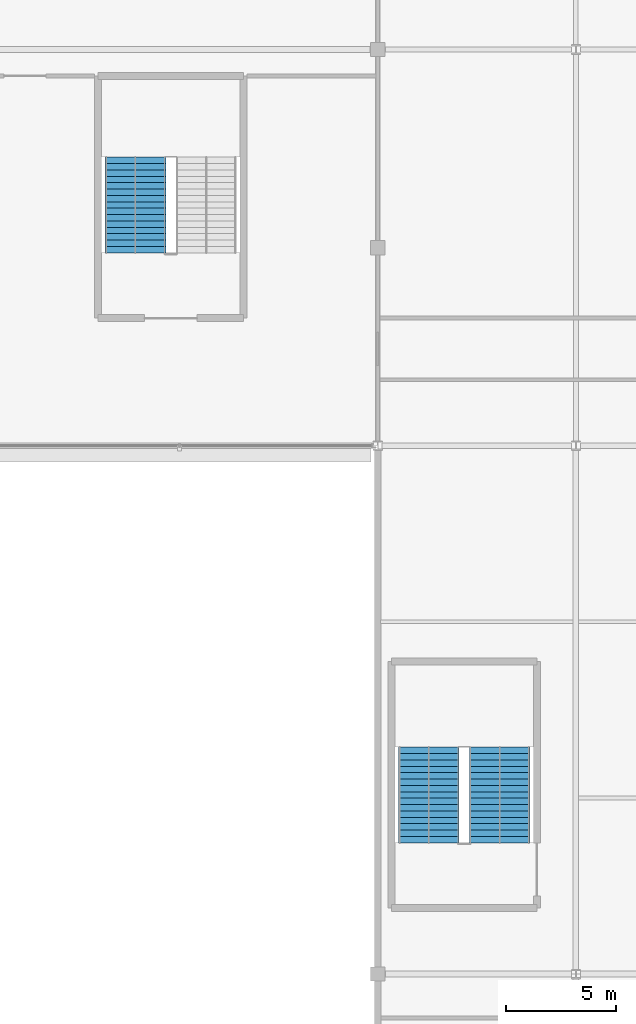
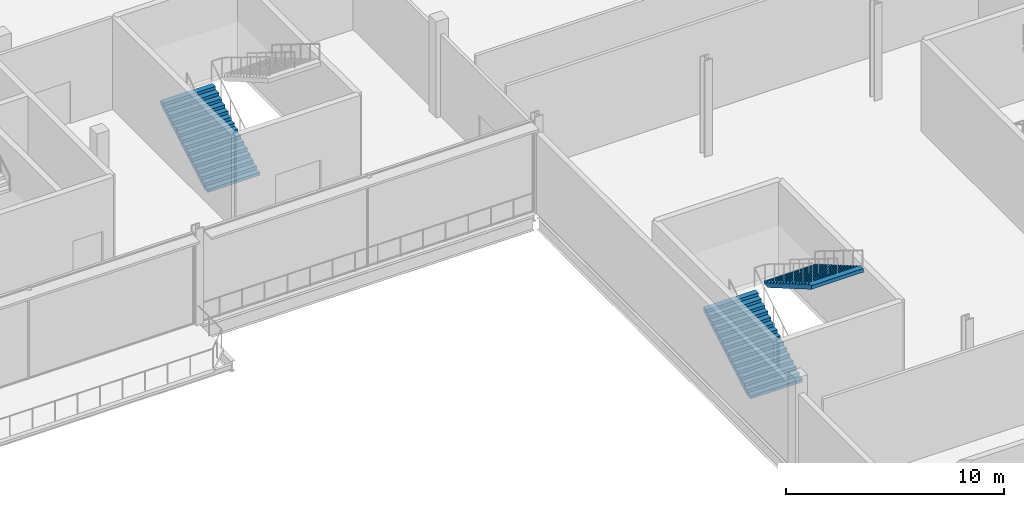
# One storey, part 92 of 113: 3 stair flights, 2 elements without a shape of their own.
"""IFC4 building model written with IfcOpenShell, lengths in metres."""

from ifc_helpers import new_model, si_unit, direction, frame, origin, place, context, subcontext, project, spatial, polygons, material, type_object, element, aggregate, save


model = new_model("IFC4")

# Units and contexts
model_context = context("Model", 3, precision=1e-05, world=origin(), true_north=direction((0.0, 1.0)))
body_context = subcontext(model_context, "Body", "Model", "MODEL_VIEW")
ifc_project = project(units=[si_unit("LENGTHUNIT", "METRE"), si_unit("AREAUNIT", "SQUARE_METRE"), si_unit("VOLUMEUNIT", "CUBIC_METRE"), si_unit("PLANEANGLEUNIT", "RADIAN"), si_unit("MASSUNIT", "GRAM", prefix="KILO")], contexts=[model_context])

# Site, building, storey
site_placement = place(None, origin())
site = spatial("IfcSite", under=ifc_project, at=site_placement, CompositionType="ELEMENT")
building_placement = place(site_placement, origin())
building = spatial("IfcBuilding", under=site, at=building_placement, Name="Kisiwana Market Hall", CompositionType="ELEMENT")
storey_placement = place(building_placement, frame((0.0, 0.0, 6.0)))
storey = spatial("IfcBuildingStorey", under=building, at=storey_placement, Name="L01", CompositionType="ELEMENT", Elevation=6.0)

# Stair, stair flights
ifc_material_1 = material(Name="Concrete C32/40", Category="concrete")
stair_type = type_object("IfcStairType", Name="ST-ESC-5400", PredefinedType="TWO_STRAIGHT_RUN_STAIR", material=ifc_material_1)
stair_1_placement = place(storey_placement, origin())
stair_1 = element("IfcStair", 1, at=stair_1_placement, inside=storey, type_object=stair_type, Name="Escape stair ST-E10-L01", PredefinedType="TWO_STRAIGHT_RUN_STAIR")
ifc_material_2 = material(Name="Concrete C32/40", Category="concrete")
stair_flight_type = type_object("IfcStairFlightType", Name="SF-ESC-5400", PredefinedType="STRAIGHT", material=ifc_material_2)
stair_flight_1_placement = place(storey_placement, frame((155.320068359375, 65.9599609375, 0.0), z_axis=(0.0, 0.0, 1.0), x_axis=(0.0, 1.0, 0.0)))
stair_flight_1 = element("IfcStairFlight", 2, at=stair_flight_1_placement, type_object=stair_flight_type, Name="ST-E10-L01 flight 1", NumberOfRisers=16, NumberOfTreads=15, PredefinedType="STRAIGHT", RiserHeight=0.16875, TreadLength=0.29, context=body_context, shape_type="Tessellation", body=[
    polygons([(0.0, -1.380127, 0.0), (0.0, -0.690125, 0.0), (0.0, -0.000122, 0.0), (0.0, 0.68988, 0.0), (0.0, 1.379883, 0.0), (0.0, -1.380127, 0.168701), (0.0, -0.690125, 0.168701), (0.0, -0.000122, 0.168701), (0.0, 0.68988, 0.168701), (0.0, 1.379883, 0.168701), (0.290039, -1.380127, 0.168701), (0.290039, -0.690125, 0.168701), (0.290039, -0.000122, 0.168701), (0.290039, 0.68988, 0.168701), (0.290039, 1.379883, 0.168701), (0.290039, -1.380127, 0.337402), (0.290039, -0.690125, 0.337402), (0.290039, -0.000122, 0.337402), (0.290039, 0.68988, 0.337402), (0.290039, 1.379883, 0.337402), (0.580078, -1.380127, 0.337402), (0.580078, -0.690125, 0.337402), (0.580078, -0.000122, 0.337402), (0.580078, 0.68988, 0.337402), (0.580078, 1.379883, 0.337402), (0.580078, -1.380127, 0.506348), (0.580078, -0.690125, 0.506348), (0.580078, -0.000122, 0.506348), (0.580078, 0.68988, 0.506348), (0.580078, 1.379883, 0.506348), (0.870117, -1.380127, 0.506348), (0.870117, -0.690125, 0.506348), (0.870117, -0.000122, 0.506348), (0.870117, 0.68988, 0.506348), (0.870117, 1.379883, 0.506348), (0.870117, -1.380127, 0.675049), (0.870117, -0.690125, 0.675049), (0.870117, -0.000122, 0.675049), (0.870117, 0.68988, 0.675049), (0.870117, 1.379883, 0.675049), (1.159912, -1.380127, 0.675049), (1.159912, -0.690125, 0.675049), (1.159912, -0.000122, 0.675049), (1.159912, 0.68988, 0.675049), (1.159912, 1.379883, 0.675049), (1.159912, -1.380127, 0.84375), (1.159912, -0.690125, 0.84375), (1.159912, -0.000122, 0.84375), (1.159912, 0.68988, 0.84375), (1.159912, 1.379883, 0.84375), (1.449951, -1.380127, 0.84375), (1.449951, -0.690125, 0.84375), (1.449951, -0.000122, 0.84375), (1.449951, 0.68988, 0.84375), (1.449951, 1.379883, 0.84375), (1.449951, -1.380127, 1.012451), (1.449951, -0.690125, 1.012451), (1.449951, -0.000122, 1.012451), (1.449951, 0.68988, 1.012451), (1.449951, 1.379883, 1.012451), (1.73999, -1.380127, 1.012451), (1.73999, -0.690125, 1.012451), (1.73999, -0.000122, 1.012451), (1.73999, 0.68988, 1.012451), (1.73999, 1.379883, 1.012451), (1.73999, -1.380127, 1.181152), (1.73999, -0.690125, 1.181152), (1.73999, -0.000122, 1.181152), (1.73999, 0.68988, 1.181152), (1.73999, 1.379883, 1.181152), (2.030029, -1.380127, 1.181152), (2.030029, -0.690125, 1.181152), (2.030029, -0.000122, 1.181152), (2.030029, 0.68988, 1.181152), (2.030029, 1.379883, 1.181152), (2.030029, -1.380127, 1.350098), (2.030029, -0.690125, 1.350098), (2.030029, -0.000122, 1.350098), (2.030029, 0.68988, 1.350098), (2.030029, 1.379883, 1.350098), (2.320068, -1.380127, 1.350098), (2.320068, -0.690125, 1.350098), (2.320068, -0.000122, 1.350098), (2.320068, 0.68988, 1.350098), (2.320068, 1.379883, 1.350098), (2.320068, -1.380127, 1.518799), (2.320068, -0.690125, 1.518799), (2.320068, -0.000122, 1.518799), (2.320068, 0.68988, 1.518799), (2.320068, 1.379883, 1.518799), (2.610107, -1.380127, 1.518799), (2.610107, -0.690125, 1.518799), (2.610107, -0.000122, 1.518799), (2.610107, 0.68988, 1.518799), (2.610107, 1.379883, 1.518799), (2.610107, -1.380127, 1.6875), (2.610107, -0.690125, 1.6875), (2.610107, -0.000122, 1.6875), (2.610107, 0.68988, 1.6875), (2.610107, 1.379883, 1.6875), (2.899902, -1.380127, 1.6875), (2.899902, -0.690125, 1.6875), (2.899902, -0.000122, 1.6875), (2.899902, 0.68988, 1.6875), (2.899902, 1.379883, 1.6875), (2.899902, -1.380127, 1.856201), (2.899902, -0.690125, 1.856201), (2.899902, -0.000122, 1.856201), (2.899902, 0.68988, 1.856201), (2.899902, 1.379883, 1.856201), (3.189941, -1.380127, 1.856201), (3.189941, -0.690125, 1.856201), (3.189941, -0.000122, 1.856201), (3.189941, 0.68988, 1.856201), (3.189941, 1.379883, 1.856201), (3.189941, -1.380127, 2.024902), (3.189941, -0.690125, 2.024902), (3.189941, -0.000122, 2.024902), (3.189941, 0.68988, 2.024902), (3.189941, 1.379883, 2.024902), (3.47998, -1.380127, 2.024902), (3.47998, -0.690125, 2.024902), (3.47998, -0.000122, 2.024902), (3.47998, 0.68988, 2.024902), (3.47998, 1.379883, 2.024902), (3.47998, -1.380127, 2.193848), (3.47998, -0.690125, 2.193848), (3.47998, -0.000122, 2.193848), (3.47998, 0.68988, 2.193848), (3.47998, 1.379883, 2.193848), (3.77002, -1.380127, 2.193848), (3.77002, -0.690125, 2.193848), (3.77002, -0.000122, 2.193848), (3.77002, 0.68988, 2.193848), (3.77002, 1.379883, 2.193848), (3.77002, -1.380127, 2.362549), (3.77002, -0.690125, 2.362549), (3.77002, -0.000122, 2.362549), (3.77002, 0.68988, 2.362549), (3.77002, 1.379883, 2.362549), (4.060059, -1.380127, 2.362549), (4.060059, -0.690125, 2.362549), (4.060059, -0.000122, 2.362549), (4.060059, 0.68988, 2.362549), (4.060059, 1.379883, 2.362549), (4.060059, -1.380127, 2.53125), (4.060059, -0.690125, 2.53125), (4.060059, -0.000122, 2.53125), (4.060059, 0.68988, 2.53125), (4.060059, 1.379883, 2.53125), (4.350098, -1.380127, 2.53125), (4.350098, -0.690125, 2.53125), (4.350098, -0.000122, 2.53125), (4.350098, 0.68988, 2.53125), (4.350098, 1.379883, 2.53125), (4.350098, -1.380127, 2.322998), (4.350098, -0.690125, 2.322998), (4.350098, -0.000122, 2.322998), (4.350098, 0.68988, 2.322998), (4.350098, 1.379883, 2.322998), (0.357666, -1.380127, 0.0), (0.357666, -0.690125, 0.0), (0.357666, -0.000122, 0.0), (0.357666, 0.68988, 0.0), (0.357666, 1.379883, 0.0)], [[[1, 6, 7, 2]], [[2, 7, 8, 3]], [[3, 8, 9, 4]], [[4, 9, 10, 5]], [[6, 11, 12, 7]], [[7, 12, 13, 8]], [[8, 13, 14, 9]], [[9, 14, 15, 10]], [[11, 16, 17, 12]], [[12, 17, 18, 13]], [[13, 18, 19, 14]], [[14, 19, 20, 15]], [[16, 21, 22, 17]], [[17, 22, 23, 18]], [[18, 23, 24, 19]], [[19, 24, 25, 20]], [[21, 26, 27, 22]], [[22, 27, 28, 23]], [[23, 28, 29, 24]], [[24, 29, 30, 25]], [[26, 31, 32, 27]], [[27, 32, 33, 28]], [[28, 33, 34, 29]], [[29, 34, 35, 30]], [[31, 36, 37, 32]], [[32, 37, 38, 33]], [[33, 38, 39, 34]], [[34, 39, 40, 35]], [[36, 41, 42, 37]], [[37, 42, 43, 38]], [[38, 43, 44, 39]], [[39, 44, 45, 40]], [[41, 46, 47, 42]], [[42, 47, 48, 43]], [[43, 48, 49, 44]], [[44, 49, 50, 45]], [[46, 51, 52, 47]], [[47, 52, 53, 48]], [[48, 53, 54, 49]], [[49, 54, 55, 50]], [[51, 56, 57, 52]], [[52, 57, 58, 53]], [[53, 58, 59, 54]], [[54, 59, 60, 55]], [[56, 61, 62, 57]], [[57, 62, 63, 58]], [[58, 63, 64, 59]], [[59, 64, 65, 60]], [[61, 66, 67, 62]], [[62, 67, 68, 63]], [[63, 68, 69, 64]], [[64, 69, 70, 65]], [[66, 71, 72, 67]], [[67, 72, 73, 68]], [[68, 73, 74, 69]], [[69, 74, 75, 70]], [[71, 76, 77, 72]], [[72, 77, 78, 73]], [[73, 78, 79, 74]], [[74, 79, 80, 75]], [[76, 81, 82, 77]], [[77, 82, 83, 78]], [[78, 83, 84, 79]], [[79, 84, 85, 80]], [[81, 86, 87, 82]], [[82, 87, 88, 83]], [[83, 88, 89, 84]], [[84, 89, 90, 85]], [[86, 91, 92, 87]], [[87, 92, 93, 88]], [[88, 93, 94, 89]], [[89, 94, 95, 90]], [[91, 96, 97, 92]], [[92, 97, 98, 93]], [[93, 98, 99, 94]], [[94, 99, 100, 95]], [[96, 101, 102, 97]], [[97, 102, 103, 98]], [[98, 103, 104, 99]], [[99, 104, 105, 100]], [[101, 106, 107, 102]], [[102, 107, 108, 103]], [[103, 108, 109, 104]], [[104, 109, 110, 105]], [[106, 111, 112, 107]], [[107, 112, 113, 108]], [[108, 113, 114, 109]], [[109, 114, 115, 110]], [[111, 116, 117, 112]], [[112, 117, 118, 113]], [[113, 118, 119, 114]], [[114, 119, 120, 115]], [[116, 121, 122, 117]], [[117, 122, 123, 118]], [[118, 123, 124, 119]], [[119, 124, 125, 120]], [[121, 126, 127, 122]], [[122, 127, 128, 123]], [[123, 128, 129, 124]], [[124, 129, 130, 125]], [[126, 131, 132, 127]], [[127, 132, 133, 128]], [[128, 133, 134, 129]], [[129, 134, 135, 130]], [[131, 136, 137, 132]], [[132, 137, 138, 133]], [[133, 138, 139, 134]], [[134, 139, 140, 135]], [[136, 141, 142, 137]], [[137, 142, 143, 138]], [[138, 143, 144, 139]], [[139, 144, 145, 140]], [[141, 146, 147, 142]], [[142, 147, 148, 143]], [[143, 148, 149, 144]], [[144, 149, 150, 145]], [[146, 151, 152, 147]], [[147, 152, 153, 148]], [[148, 153, 154, 149]], [[149, 154, 155, 150]], [[151, 156, 157, 152]], [[152, 157, 158, 153]], [[153, 158, 159, 154]], [[154, 159, 160, 155]], [[156, 161, 162, 157]], [[157, 162, 163, 158]], [[158, 163, 164, 159]], [[159, 164, 165, 160]], [[161, 1, 2, 162]], [[162, 2, 3, 163]], [[163, 3, 4, 164]], [[164, 4, 5, 165]], [[161, 156, 151, 146, 141, 136, 131, 126, 121, 116, 111, 106, 101, 96, 91, 86, 81, 76, 71, 66, 61, 56, 51, 46, 41, 36, 31, 26, 21, 16, 11, 6, 1]], [[5, 10, 15, 20, 25, 30, 35, 40, 45, 50, 55, 60, 65, 70, 75, 80, 85, 90, 95, 100, 105, 110, 115, 120, 125, 130, 135, 140, 145, 150, 155, 160, 165]]], closed=True),
])
stair_flight_2_placement = place(storey_placement, frame((158.5400390625, 70.31005859375, 2.699951171875), z_axis=(0.0, 0.0, 1.0), x_axis=(0.0, -1.0, 0.0)))
stair_flight_2 = element("IfcStairFlight", 3, at=stair_flight_2_placement, type_object=stair_flight_type, Name="ST-E10-L01 flight 2", NumberOfRisers=16, NumberOfTreads=15, PredefinedType="STRAIGHT", RiserHeight=0.16875, TreadLength=0.29, context=body_context, shape_type="Tessellation", body=[
    polygons([(0.0, -1.380127, 0.0), (0.0, -0.690125, 0.0), (0.0, -0.000122, 0.0), (0.0, 0.68988, 0.0), (0.0, 1.379883, 0.0), (0.0, -1.380127, 0.168701), (0.0, -0.690125, 0.168701), (0.0, -0.000122, 0.168701), (0.0, 0.68988, 0.168701), (0.0, 1.379883, 0.168701), (0.290039, -1.380127, 0.168701), (0.290039, -0.690125, 0.168701), (0.290039, -0.000122, 0.168701), (0.290039, 0.68988, 0.168701), (0.290039, 1.379883, 0.168701), (0.290039, -1.380127, 0.337402), (0.290039, -0.690125, 0.337402), (0.290039, -0.000122, 0.337402), (0.290039, 0.68988, 0.337402), (0.290039, 1.379883, 0.337402), (0.580078, -1.380127, 0.337402), (0.580078, -0.690125, 0.337402), (0.580078, -0.000122, 0.337402), (0.580078, 0.68988, 0.337402), (0.580078, 1.379883, 0.337402), (0.580078, -1.380127, 0.506348), (0.580078, -0.690125, 0.506348), (0.580078, -0.000122, 0.506348), (0.580078, 0.68988, 0.506348), (0.580078, 1.379883, 0.506348), (0.870117, -1.380127, 0.506348), (0.870117, -0.690125, 0.506348), (0.870117, -0.000122, 0.506348), (0.870117, 0.68988, 0.506348), (0.870117, 1.379883, 0.506348), (0.870117, -1.380127, 0.675049), (0.870117, -0.690125, 0.675049), (0.870117, -0.000122, 0.675049), (0.870117, 0.68988, 0.675049), (0.870117, 1.379883, 0.675049), (1.159912, -1.380127, 0.675049), (1.159912, -0.690125, 0.675049), (1.159912, -0.000122, 0.675049), (1.159912, 0.68988, 0.675049), (1.159912, 1.379883, 0.675049), (1.159912, -1.380127, 0.84375), (1.159912, -0.690125, 0.84375), (1.159912, -0.000122, 0.84375), (1.159912, 0.68988, 0.84375), (1.159912, 1.379883, 0.84375), (1.449951, -1.380127, 0.84375), (1.449951, -0.690125, 0.84375), (1.449951, -0.000122, 0.84375), (1.449951, 0.68988, 0.84375), (1.449951, 1.379883, 0.84375), (1.449951, -1.380127, 1.012451), (1.449951, -0.690125, 1.012451), (1.449951, -0.000122, 1.012451), (1.449951, 0.68988, 1.012451), (1.449951, 1.379883, 1.012451), (1.73999, -1.380127, 1.012451), (1.73999, -0.690125, 1.012451), (1.73999, -0.000122, 1.012451), (1.73999, 0.68988, 1.012451), (1.73999, 1.379883, 1.012451), (1.73999, -1.380127, 1.181152), (1.73999, -0.690125, 1.181152), (1.73999, -0.000122, 1.181152), (1.73999, 0.68988, 1.181152), (1.73999, 1.379883, 1.181152), (2.030029, -1.380127, 1.181152), (2.030029, -0.690125, 1.181152), (2.030029, -0.000122, 1.181152), (2.030029, 0.68988, 1.181152), (2.030029, 1.379883, 1.181152), (2.030029, -1.380127, 1.350098), (2.030029, -0.690125, 1.350098), (2.030029, -0.000122, 1.350098), (2.030029, 0.68988, 1.350098), (2.030029, 1.379883, 1.350098), (2.320068, -1.380127, 1.350098), (2.320068, -0.690125, 1.350098), (2.320068, -0.000122, 1.350098), (2.320068, 0.68988, 1.350098), (2.320068, 1.379883, 1.350098), (2.320068, -1.380127, 1.518799), (2.320068, -0.690125, 1.518799), (2.320068, -0.000122, 1.518799), (2.320068, 0.68988, 1.518799), (2.320068, 1.379883, 1.518799), (2.610107, -1.380127, 1.518799), (2.610107, -0.690125, 1.518799), (2.610107, -0.000122, 1.518799), (2.610107, 0.68988, 1.518799), (2.610107, 1.379883, 1.518799), (2.610107, -1.380127, 1.6875), (2.610107, -0.690125, 1.6875), (2.610107, -0.000122, 1.6875), (2.610107, 0.68988, 1.6875), (2.610107, 1.379883, 1.6875), (2.899902, -1.380127, 1.6875), (2.899902, -0.690125, 1.6875), (2.899902, -0.000122, 1.6875), (2.899902, 0.68988, 1.6875), (2.899902, 1.379883, 1.6875), (2.899902, -1.380127, 1.856201), (2.899902, -0.690125, 1.856201), (2.899902, -0.000122, 1.856201), (2.899902, 0.68988, 1.856201), (2.899902, 1.379883, 1.856201), (3.189941, -1.380127, 1.856201), (3.189941, -0.690125, 1.856201), (3.189941, -0.000122, 1.856201), (3.189941, 0.68988, 1.856201), (3.189941, 1.379883, 1.856201), (3.189941, -1.380127, 2.024902), (3.189941, -0.690125, 2.024902), (3.189941, -0.000122, 2.024902), (3.189941, 0.68988, 2.024902), (3.189941, 1.379883, 2.024902), (3.47998, -1.380127, 2.024902), (3.47998, -0.690125, 2.024902), (3.47998, -0.000122, 2.024902), (3.47998, 0.68988, 2.024902), (3.47998, 1.379883, 2.024902), (3.47998, -1.380127, 2.193848), (3.47998, -0.690125, 2.193848), (3.47998, -0.000122, 2.193848), (3.47998, 0.68988, 2.193848), (3.47998, 1.379883, 2.193848), (3.77002, -1.380127, 2.193848), (3.77002, -0.690125, 2.193848), (3.77002, -0.000122, 2.193848), (3.77002, 0.68988, 2.193848), (3.77002, 1.379883, 2.193848), (3.77002, -1.380127, 2.362549), (3.77002, -0.690125, 2.362549), (3.77002, -0.000122, 2.362549), (3.77002, 0.68988, 2.362549), (3.77002, 1.379883, 2.362549), (4.060059, -1.380127, 2.362549), (4.060059, -0.690125, 2.362549), (4.060059, -0.000122, 2.362549), (4.060059, 0.68988, 2.362549), (4.060059, 1.379883, 2.362549), (4.060059, -1.380127, 2.53125), (4.060059, -0.690125, 2.53125), (4.060059, -0.000122, 2.53125), (4.060059, 0.68988, 2.53125), (4.060059, 1.379883, 2.53125), (4.350098, -1.380127, 2.53125), (4.350098, -0.690125, 2.53125), (4.350098, -0.000122, 2.53125), (4.350098, 0.68988, 2.53125), (4.350098, 1.379883, 2.53125), (4.350098, -1.380127, 2.322998), (4.350098, -0.690125, 2.322998), (4.350098, -0.000122, 2.322998), (4.350098, 0.68988, 2.322998), (4.350098, 1.379883, 2.322998), (0.357666, -1.380127, 0.0), (0.357666, -0.690125, 0.0), (0.357666, -0.000122, 0.0), (0.357666, 0.68988, 0.0), (0.357666, 1.379883, 0.0)], [[[1, 6, 7, 2]], [[2, 7, 8, 3]], [[3, 8, 9, 4]], [[4, 9, 10, 5]], [[6, 11, 12, 7]], [[7, 12, 13, 8]], [[8, 13, 14, 9]], [[9, 14, 15, 10]], [[11, 16, 17, 12]], [[12, 17, 18, 13]], [[13, 18, 19, 14]], [[14, 19, 20, 15]], [[16, 21, 22, 17]], [[17, 22, 23, 18]], [[18, 23, 24, 19]], [[19, 24, 25, 20]], [[21, 26, 27, 22]], [[22, 27, 28, 23]], [[23, 28, 29, 24]], [[24, 29, 30, 25]], [[26, 31, 32, 27]], [[27, 32, 33, 28]], [[28, 33, 34, 29]], [[29, 34, 35, 30]], [[31, 36, 37, 32]], [[32, 37, 38, 33]], [[33, 38, 39, 34]], [[34, 39, 40, 35]], [[36, 41, 42, 37]], [[37, 42, 43, 38]], [[38, 43, 44, 39]], [[39, 44, 45, 40]], [[41, 46, 47, 42]], [[42, 47, 48, 43]], [[43, 48, 49, 44]], [[44, 49, 50, 45]], [[46, 51, 52, 47]], [[47, 52, 53, 48]], [[48, 53, 54, 49]], [[49, 54, 55, 50]], [[51, 56, 57, 52]], [[52, 57, 58, 53]], [[53, 58, 59, 54]], [[54, 59, 60, 55]], [[56, 61, 62, 57]], [[57, 62, 63, 58]], [[58, 63, 64, 59]], [[59, 64, 65, 60]], [[61, 66, 67, 62]], [[62, 67, 68, 63]], [[63, 68, 69, 64]], [[64, 69, 70, 65]], [[66, 71, 72, 67]], [[67, 72, 73, 68]], [[68, 73, 74, 69]], [[69, 74, 75, 70]], [[71, 76, 77, 72]], [[72, 77, 78, 73]], [[73, 78, 79, 74]], [[74, 79, 80, 75]], [[76, 81, 82, 77]], [[77, 82, 83, 78]], [[78, 83, 84, 79]], [[79, 84, 85, 80]], [[81, 86, 87, 82]], [[82, 87, 88, 83]], [[83, 88, 89, 84]], [[84, 89, 90, 85]], [[86, 91, 92, 87]], [[87, 92, 93, 88]], [[88, 93, 94, 89]], [[89, 94, 95, 90]], [[91, 96, 97, 92]], [[92, 97, 98, 93]], [[93, 98, 99, 94]], [[94, 99, 100, 95]], [[96, 101, 102, 97]], [[97, 102, 103, 98]], [[98, 103, 104, 99]], [[99, 104, 105, 100]], [[101, 106, 107, 102]], [[102, 107, 108, 103]], [[103, 108, 109, 104]], [[104, 109, 110, 105]], [[106, 111, 112, 107]], [[107, 112, 113, 108]], [[108, 113, 114, 109]], [[109, 114, 115, 110]], [[111, 116, 117, 112]], [[112, 117, 118, 113]], [[113, 118, 119, 114]], [[114, 119, 120, 115]], [[116, 121, 122, 117]], [[117, 122, 123, 118]], [[118, 123, 124, 119]], [[119, 124, 125, 120]], [[121, 126, 127, 122]], [[122, 127, 128, 123]], [[123, 128, 129, 124]], [[124, 129, 130, 125]], [[126, 131, 132, 127]], [[127, 132, 133, 128]], [[128, 133, 134, 129]], [[129, 134, 135, 130]], [[131, 136, 137, 132]], [[132, 137, 138, 133]], [[133, 138, 139, 134]], [[134, 139, 140, 135]], [[136, 141, 142, 137]], [[137, 142, 143, 138]], [[138, 143, 144, 139]], [[139, 144, 145, 140]], [[141, 146, 147, 142]], [[142, 147, 148, 143]], [[143, 148, 149, 144]], [[144, 149, 150, 145]], [[146, 151, 152, 147]], [[147, 152, 153, 148]], [[148, 153, 154, 149]], [[149, 154, 155, 150]], [[151, 156, 157, 152]], [[152, 157, 158, 153]], [[153, 158, 159, 154]], [[154, 159, 160, 155]], [[156, 161, 162, 157]], [[157, 162, 163, 158]], [[158, 163, 164, 159]], [[159, 164, 165, 160]], [[161, 1, 2, 162]], [[162, 2, 3, 163]], [[163, 3, 4, 164]], [[164, 4, 5, 165]], [[161, 156, 151, 146, 141, 136, 131, 126, 121, 116, 111, 106, 101, 96, 91, 86, 81, 76, 71, 66, 61, 56, 51, 46, 41, 36, 31, 26, 21, 16, 11, 6, 1]], [[5, 10, 15, 20, 25, 30, 35, 40, 45, 50, 55, 60, 65, 70, 75, 80, 85, 90, 95, 100, 105, 110, 115, 120, 125, 130, 135, 140, 145, 150, 155, 160, 165]]], closed=True),
])
aggregate(stair_1, [stair_flight_1, stair_flight_2])

# Stair, stair flight
stair_2_placement = place(storey_placement, origin())
stair_2 = element("IfcStair", 4, at=stair_2_placement, inside=storey, type_object=stair_type, Name="Escape stair ST-N6-L01", PredefinedType="TWO_STRAIGHT_RUN_STAIR")
stair_flight_3_placement = place(storey_placement, frame((141.989990234375, 92.760009765625, 0.0), z_axis=(0.0, 0.0, 1.0), x_axis=(0.0, 1.0, 0.0)))
stair_flight_3 = element("IfcStairFlight", 5, at=stair_flight_3_placement, type_object=stair_flight_type, Name="ST-N6-L01 flight 1", NumberOfRisers=16, NumberOfTreads=15, PredefinedType="STRAIGHT", RiserHeight=0.16875, TreadLength=0.29, context=body_context, shape_type="Tessellation", body=[
    polygons([(0.0, -1.380127, 0.0), (0.0, -0.690125, 0.0), (0.0, -0.000122, 0.0), (0.0, 0.68988, 0.0), (0.0, 1.379883, 0.0), (0.0, -1.380127, 0.168701), (0.0, -0.690125, 0.168701), (0.0, -0.000122, 0.168701), (0.0, 0.68988, 0.168701), (0.0, 1.379883, 0.168701), (0.290039, -1.380127, 0.168701), (0.290039, -0.690125, 0.168701), (0.290039, -0.000122, 0.168701), (0.290039, 0.68988, 0.168701), (0.290039, 1.379883, 0.168701), (0.290039, -1.380127, 0.337402), (0.290039, -0.690125, 0.337402), (0.290039, -0.000122, 0.337402), (0.290039, 0.68988, 0.337402), (0.290039, 1.379883, 0.337402), (0.580078, -1.380127, 0.337402), (0.580078, -0.690125, 0.337402), (0.580078, -0.000122, 0.337402), (0.580078, 0.68988, 0.337402), (0.580078, 1.379883, 0.337402), (0.580078, -1.380127, 0.506348), (0.580078, -0.690125, 0.506348), (0.580078, -0.000122, 0.506348), (0.580078, 0.68988, 0.506348), (0.580078, 1.379883, 0.506348), (0.870117, -1.380127, 0.506348), (0.870117, -0.690125, 0.506348), (0.870117, -0.000122, 0.506348), (0.870117, 0.68988, 0.506348), (0.870117, 1.379883, 0.506348), (0.870117, -1.380127, 0.675049), (0.870117, -0.690125, 0.675049), (0.870117, -0.000122, 0.675049), (0.870117, 0.68988, 0.675049), (0.870117, 1.379883, 0.675049), (1.159912, -1.380127, 0.675049), (1.159912, -0.690125, 0.675049), (1.159912, -0.000122, 0.675049), (1.159912, 0.68988, 0.675049), (1.159912, 1.379883, 0.675049), (1.159912, -1.380127, 0.84375), (1.159912, -0.690125, 0.84375), (1.159912, -0.000122, 0.84375), (1.159912, 0.68988, 0.84375), (1.159912, 1.379883, 0.84375), (1.449951, -1.380127, 0.84375), (1.449951, -0.690125, 0.84375), (1.449951, -0.000122, 0.84375), (1.449951, 0.68988, 0.84375), (1.449951, 1.379883, 0.84375), (1.449951, -1.380127, 1.012451), (1.449951, -0.690125, 1.012451), (1.449951, -0.000122, 1.012451), (1.449951, 0.68988, 1.012451), (1.449951, 1.379883, 1.012451), (1.73999, -1.380127, 1.012451), (1.73999, -0.690125, 1.012451), (1.73999, -0.000122, 1.012451), (1.73999, 0.68988, 1.012451), (1.73999, 1.379883, 1.012451), (1.73999, -1.380127, 1.181152), (1.73999, -0.690125, 1.181152), (1.73999, -0.000122, 1.181152), (1.73999, 0.68988, 1.181152), (1.73999, 1.379883, 1.181152), (2.030029, -1.380127, 1.181152), (2.030029, -0.690125, 1.181152), (2.030029, -0.000122, 1.181152), (2.030029, 0.68988, 1.181152), (2.030029, 1.379883, 1.181152), (2.030029, -1.380127, 1.350098), (2.030029, -0.690125, 1.350098), (2.030029, -0.000122, 1.350098), (2.030029, 0.68988, 1.350098), (2.030029, 1.379883, 1.350098), (2.320068, -1.380127, 1.350098), (2.320068, -0.690125, 1.350098), (2.320068, -0.000122, 1.350098), (2.320068, 0.68988, 1.350098), (2.320068, 1.379883, 1.350098), (2.320068, -1.380127, 1.518799), (2.320068, -0.690125, 1.518799), (2.320068, -0.000122, 1.518799), (2.320068, 0.68988, 1.518799), (2.320068, 1.379883, 1.518799), (2.610107, -1.380127, 1.518799), (2.610107, -0.690125, 1.518799), (2.610107, -0.000122, 1.518799), (2.610107, 0.68988, 1.518799), (2.610107, 1.379883, 1.518799), (2.610107, -1.380127, 1.6875), (2.610107, -0.690125, 1.6875), (2.610107, -0.000122, 1.6875), (2.610107, 0.68988, 1.6875), (2.610107, 1.379883, 1.6875), (2.899902, -1.380127, 1.6875), (2.899902, -0.690125, 1.6875), (2.899902, -0.000122, 1.6875), (2.899902, 0.68988, 1.6875), (2.899902, 1.379883, 1.6875), (2.899902, -1.380127, 1.856201), (2.899902, -0.690125, 1.856201), (2.899902, -0.000122, 1.856201), (2.899902, 0.68988, 1.856201), (2.899902, 1.379883, 1.856201), (3.189941, -1.380127, 1.856201), (3.189941, -0.690125, 1.856201), (3.189941, -0.000122, 1.856201), (3.189941, 0.68988, 1.856201), (3.189941, 1.379883, 1.856201), (3.189941, -1.380127, 2.024902), (3.189941, -0.690125, 2.024902), (3.189941, -0.000122, 2.024902), (3.189941, 0.68988, 2.024902), (3.189941, 1.379883, 2.024902), (3.47998, -1.380127, 2.024902), (3.47998, -0.690125, 2.024902), (3.47998, -0.000122, 2.024902), (3.47998, 0.68988, 2.024902), (3.47998, 1.379883, 2.024902), (3.47998, -1.380127, 2.193848), (3.47998, -0.690125, 2.193848), (3.47998, -0.000122, 2.193848), (3.47998, 0.68988, 2.193848), (3.47998, 1.379883, 2.193848), (3.77002, -1.380127, 2.193848), (3.77002, -0.690125, 2.193848), (3.77002, -0.000122, 2.193848), (3.77002, 0.68988, 2.193848), (3.77002, 1.379883, 2.193848), (3.77002, -1.380127, 2.362549), (3.77002, -0.690125, 2.362549), (3.77002, -0.000122, 2.362549), (3.77002, 0.68988, 2.362549), (3.77002, 1.379883, 2.362549), (4.060059, -1.380127, 2.362549), (4.060059, -0.690125, 2.362549), (4.060059, -0.000122, 2.362549), (4.060059, 0.68988, 2.362549), (4.060059, 1.379883, 2.362549), (4.060059, -1.380127, 2.53125), (4.060059, -0.690125, 2.53125), (4.060059, -0.000122, 2.53125), (4.060059, 0.68988, 2.53125), (4.060059, 1.379883, 2.53125), (4.350098, -1.380127, 2.53125), (4.350098, -0.690125, 2.53125), (4.350098, -0.000122, 2.53125), (4.350098, 0.68988, 2.53125), (4.350098, 1.379883, 2.53125), (4.350098, -1.380127, 2.322998), (4.350098, -0.690125, 2.322998), (4.350098, -0.000122, 2.322998), (4.350098, 0.68988, 2.322998), (4.350098, 1.379883, 2.322998), (0.357666, -1.380127, 0.0), (0.357666, -0.690125, 0.0), (0.357666, -0.000122, 0.0), (0.357666, 0.68988, 0.0), (0.357666, 1.379883, 0.0)], [[[1, 6, 7, 2]], [[2, 7, 8, 3]], [[3, 8, 9, 4]], [[4, 9, 10, 5]], [[6, 11, 12, 7]], [[7, 12, 13, 8]], [[8, 13, 14, 9]], [[9, 14, 15, 10]], [[11, 16, 17, 12]], [[12, 17, 18, 13]], [[13, 18, 19, 14]], [[14, 19, 20, 15]], [[16, 21, 22, 17]], [[17, 22, 23, 18]], [[18, 23, 24, 19]], [[19, 24, 25, 20]], [[21, 26, 27, 22]], [[22, 27, 28, 23]], [[23, 28, 29, 24]], [[24, 29, 30, 25]], [[26, 31, 32, 27]], [[27, 32, 33, 28]], [[28, 33, 34, 29]], [[29, 34, 35, 30]], [[31, 36, 37, 32]], [[32, 37, 38, 33]], [[33, 38, 39, 34]], [[34, 39, 40, 35]], [[36, 41, 42, 37]], [[37, 42, 43, 38]], [[38, 43, 44, 39]], [[39, 44, 45, 40]], [[41, 46, 47, 42]], [[42, 47, 48, 43]], [[43, 48, 49, 44]], [[44, 49, 50, 45]], [[46, 51, 52, 47]], [[47, 52, 53, 48]], [[48, 53, 54, 49]], [[49, 54, 55, 50]], [[51, 56, 57, 52]], [[52, 57, 58, 53]], [[53, 58, 59, 54]], [[54, 59, 60, 55]], [[56, 61, 62, 57]], [[57, 62, 63, 58]], [[58, 63, 64, 59]], [[59, 64, 65, 60]], [[61, 66, 67, 62]], [[62, 67, 68, 63]], [[63, 68, 69, 64]], [[64, 69, 70, 65]], [[66, 71, 72, 67]], [[67, 72, 73, 68]], [[68, 73, 74, 69]], [[69, 74, 75, 70]], [[71, 76, 77, 72]], [[72, 77, 78, 73]], [[73, 78, 79, 74]], [[74, 79, 80, 75]], [[76, 81, 82, 77]], [[77, 82, 83, 78]], [[78, 83, 84, 79]], [[79, 84, 85, 80]], [[81, 86, 87, 82]], [[82, 87, 88, 83]], [[83, 88, 89, 84]], [[84, 89, 90, 85]], [[86, 91, 92, 87]], [[87, 92, 93, 88]], [[88, 93, 94, 89]], [[89, 94, 95, 90]], [[91, 96, 97, 92]], [[92, 97, 98, 93]], [[93, 98, 99, 94]], [[94, 99, 100, 95]], [[96, 101, 102, 97]], [[97, 102, 103, 98]], [[98, 103, 104, 99]], [[99, 104, 105, 100]], [[101, 106, 107, 102]], [[102, 107, 108, 103]], [[103, 108, 109, 104]], [[104, 109, 110, 105]], [[106, 111, 112, 107]], [[107, 112, 113, 108]], [[108, 113, 114, 109]], [[109, 114, 115, 110]], [[111, 116, 117, 112]], [[112, 117, 118, 113]], [[113, 118, 119, 114]], [[114, 119, 120, 115]], [[116, 121, 122, 117]], [[117, 122, 123, 118]], [[118, 123, 124, 119]], [[119, 124, 125, 120]], [[121, 126, 127, 122]], [[122, 127, 128, 123]], [[123, 128, 129, 124]], [[124, 129, 130, 125]], [[126, 131, 132, 127]], [[127, 132, 133, 128]], [[128, 133, 134, 129]], [[129, 134, 135, 130]], [[131, 136, 137, 132]], [[132, 137, 138, 133]], [[133, 138, 139, 134]], [[134, 139, 140, 135]], [[136, 141, 142, 137]], [[137, 142, 143, 138]], [[138, 143, 144, 139]], [[139, 144, 145, 140]], [[141, 146, 147, 142]], [[142, 147, 148, 143]], [[143, 148, 149, 144]], [[144, 149, 150, 145]], [[146, 151, 152, 147]], [[147, 152, 153, 148]], [[148, 153, 154, 149]], [[149, 154, 155, 150]], [[151, 156, 157, 152]], [[152, 157, 158, 153]], [[153, 158, 159, 154]], [[154, 159, 160, 155]], [[156, 161, 162, 157]], [[157, 162, 163, 158]], [[158, 163, 164, 159]], [[159, 164, 165, 160]], [[161, 1, 2, 162]], [[162, 2, 3, 163]], [[163, 3, 4, 164]], [[164, 4, 5, 165]], [[161, 156, 151, 146, 141, 136, 131, 126, 121, 116, 111, 106, 101, 96, 91, 86, 81, 76, 71, 66, 61, 56, 51, 46, 41, 36, 31, 26, 21, 16, 11, 6, 1]], [[5, 10, 15, 20, 25, 30, 35, 40, 45, 50, 55, 60, 65, 70, 75, 80, 85, 90, 95, 100, 105, 110, 115, 120, 125, 130, 135, 140, 145, 150, 155, 160, 165]]], closed=True),
])
aggregate(stair_2, [stair_flight_3])

save(model, "model.ifc")
